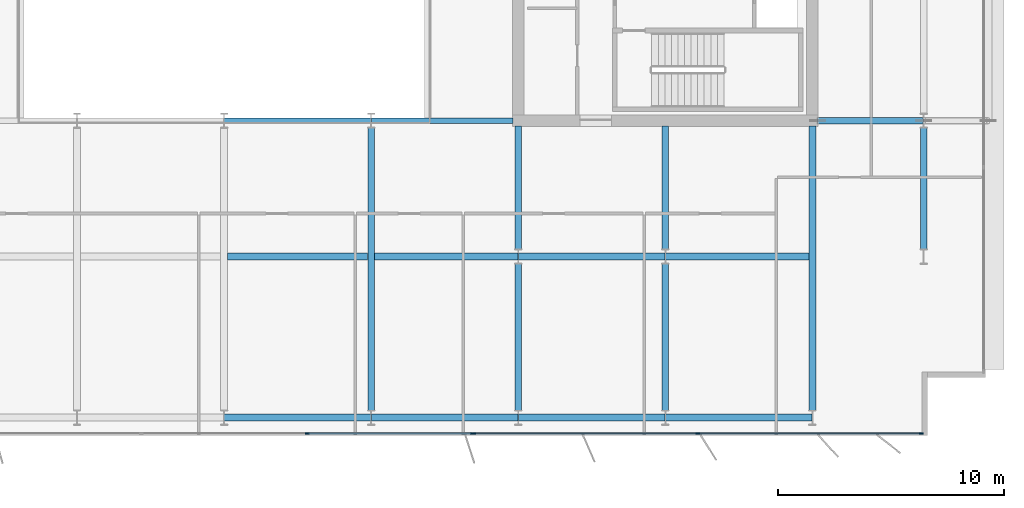
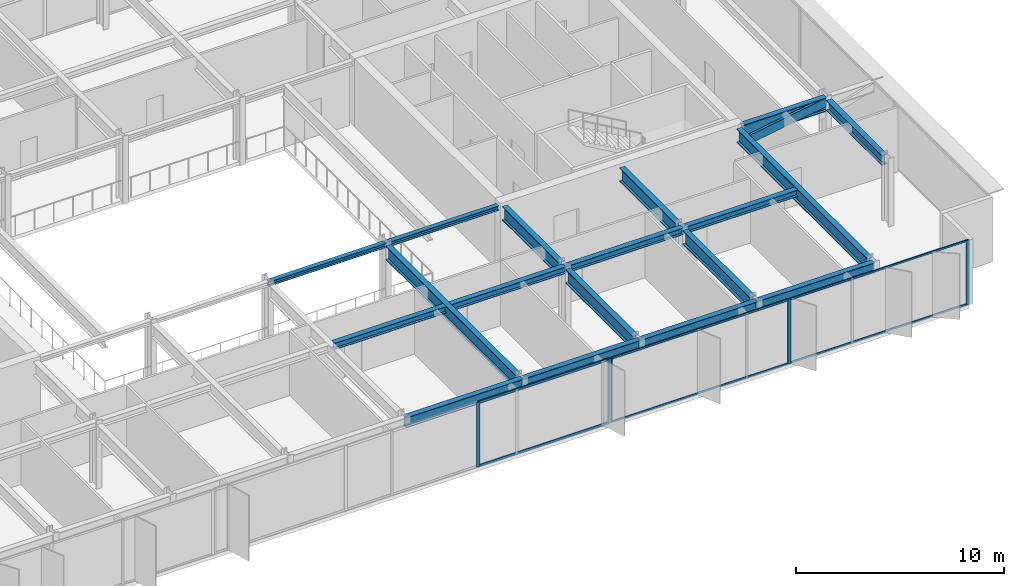
# One storey, part 6 of 20: 18 beams, 12 members, 2 elements without a shape of their own.
"""IFC4 building model written with IfcOpenShell, lengths in metres."""

from ifc_helpers import new_model, si_unit, direction, frame, origin, origin_2d, place, context, subcontext, project, spatial, rectangle, hollow_rectangle, i_section, extrude, material, layer, layer_set, material_profile, profile_set, type_object, element, aggregate, save


model = new_model("IFC4")

# Units and contexts
model_context = context("Model", 3, precision=1e-05, world=origin(), true_north=direction((0.0, 1.0)))
body_context = subcontext(model_context, "Body", "Model", "MODEL_VIEW")
ifc_project = project(units=[si_unit("LENGTHUNIT", "METRE"), si_unit("AREAUNIT", "SQUARE_METRE"), si_unit("VOLUMEUNIT", "CUBIC_METRE"), si_unit("PLANEANGLEUNIT", "RADIAN"), si_unit("MASSUNIT", "GRAM", prefix="KILO")], contexts=[model_context])

# Site, building, storey
site_placement = place(None, origin())
site = spatial("IfcSite", under=ifc_project, at=site_placement, CompositionType="ELEMENT")
building_placement = place(site_placement, origin())
building = spatial("IfcBuilding", under=site, at=building_placement, Name="Putna Gate Headquarters", CompositionType="ELEMENT")
storey_placement = place(building_placement, frame((0.0, 0.0, 282.39990234375)))
storey = spatial("IfcBuildingStorey", under=building, at=storey_placement, Name="L71", CompositionType="ELEMENT", Elevation=282.39990234375)

# Beams
ifc_material_1 = material(Name="Steel S355J2", Category="steel")
ifc_material_profile_1 = material_profile(ifc_material_1, i_section(OverallWidth=0.260009765625, OverallDepth=0.260009765625, WebThickness=0.010009765625, FlangeThickness=0.017578125, at=origin_2d()), Name="Steel S355J2")
ifc_profile_set_1 = profile_set([ifc_material_profile_1], Name="Steel S355J2")
beam_type_1 = type_object("IfcBeamType", Name="BM-ATRIUM-HEB260", PredefinedType="BEAM", material=ifc_profile_set_1)
beam_1_placement = place(storey_placement, frame((39.006103515625, 19.0, 3.658203125), z_axis=(1.0, 0.0, 0.0), x_axis=(0.0, 1.0, 0.0)))
element("IfcBeam", 1, at=beam_1_placement, inside=storey, type_object=beam_type_1, Name="L71 Atrium Edge Beam AS3", PredefinedType="BEAM", context=body_context, shape_type="SweptSolid", body=[
    extrude(i_section(OverallWidth=0.260009765625, OverallDepth=0.260009765625, WebThickness=0.010009765625, FlangeThickness=0.017578125, at=origin_2d()), origin(), (0.0, 0.0, 1.0), 6.48779296875),
])
beam_2_placement = place(storey_placement, frame((45.506103515625, 19.0, 3.658203125), z_axis=(1.0, 0.0, 0.0), x_axis=(0.0, 1.0, 0.0)))
element("IfcBeam", 2, at=beam_2_placement, inside=storey, type_object=beam_type_1, Name="L71 Atrium Edge Beam AS4", PredefinedType="BEAM", context=body_context, shape_type="SweptSolid", body=[
    extrude(i_section(OverallWidth=0.260009765625, OverallDepth=0.260009765625, WebThickness=0.010009765625, FlangeThickness=0.017578125, at=origin_2d()), origin(), (0.0, 0.0, 1.0), 6.2587890625),
])
ifc_material_profile_2 = material_profile(ifc_material_1, i_section(OverallWidth=0.300048828125, OverallDepth=0.800048828125, WebThickness=0.017578125, FlangeThickness=0.032958984375, at=origin_2d()), Name="Steel S355J2")
ifc_profile_set_2 = profile_set([ifc_material_profile_2], Name="Steel S355J2")
beam_type_2 = type_object("IfcBeamType", Name="BM-GIRD-P-HEB800", PredefinedType="USERDEFINED", material=ifc_profile_set_2)
beam_3_placement = place(storey_placement, frame((65.235107421875, 19.0, 3.38818359375), z_axis=(1.0, 0.0, 0.0), x_axis=(0.0, 1.0, 0.0)))
element("IfcBeam", 3, at=beam_3_placement, inside=storey, type_object=beam_type_2, Name="L71 East Wing Girder Y19", ObjectType="GIRDER", PredefinedType="USERDEFINED", context=body_context, shape_type="SweptSolid", body=[
    extrude(i_section(OverallWidth=0.300048828125, OverallDepth=0.800048828125, WebThickness=0.017578125, FlangeThickness=0.032958984375, at=origin_2d()), origin(), (0.0, 0.0, 1.0), 4.678955078125),
])
beam_4_placement = place(storey_placement, frame((45.5, 6.201904296875, 3.38818359375), z_axis=(0.0, 1.0, 0.0), x_axis=(-1.0, 0.0, 0.0)))
element("IfcBeam", 4, at=beam_4_placement, inside=storey, type_object=beam_type_2, Name="L71 South Primary Girder X45", ObjectType="GIRDER", PredefinedType="USERDEFINED", context=body_context, shape_type="SweptSolid", body=[
    extrude(i_section(OverallWidth=0.300048828125, OverallDepth=0.800048828125, WebThickness=0.017578125, FlangeThickness=0.032958984375, at=origin_2d()), origin(), (0.0, 0.0, 1.0), 12.47607421875),
])
beam_5_placement = place(storey_placement, frame((52.0, 6.201904296875, 3.38818359375), z_axis=(0.0, 1.0, 0.0), x_axis=(-1.0, 0.0, 0.0)))
element("IfcBeam", 5, at=beam_5_placement, inside=storey, type_object=beam_type_2, Name="L71 South Primary Girder X52-1", ObjectType="GIRDER", PredefinedType="USERDEFINED", context=body_context, shape_type="SweptSolid", body=[
    extrude(i_section(OverallWidth=0.300048828125, OverallDepth=0.800048828125, WebThickness=0.017578125, FlangeThickness=0.032958984375, at=origin_2d()), origin(), (0.0, 0.0, 1.0), 6.47607421875),
])
beam_6_placement = place(storey_placement, frame((52.0, 13.322021484375, 3.38818359375), z_axis=(0.0, 1.0, 0.0), x_axis=(-1.0, 0.0, 0.0)))
element("IfcBeam", 6, at=beam_6_placement, inside=storey, type_object=beam_type_2, Name="L71 South Primary Girder X52-2", ObjectType="GIRDER", PredefinedType="USERDEFINED", context=body_context, shape_type="SweptSolid", body=[
    extrude(i_section(OverallWidth=0.300048828125, OverallDepth=0.800048828125, WebThickness=0.017578125, FlangeThickness=0.032958984375, at=origin_2d()), origin(), (0.0, 0.0, 1.0), 5.44287109375),
])
beam_7_placement = place(storey_placement, frame((58.5, 6.201904296875, 3.38818359375), z_axis=(0.0, 1.0, 0.0), x_axis=(-1.0, 0.0, 0.0)))
element("IfcBeam", 7, at=beam_7_placement, inside=storey, type_object=beam_type_2, Name="L71 South Primary Girder X58-1", ObjectType="GIRDER", PredefinedType="USERDEFINED", context=body_context, shape_type="SweptSolid", body=[
    extrude(i_section(OverallWidth=0.300048828125, OverallDepth=0.800048828125, WebThickness=0.017578125, FlangeThickness=0.032958984375, at=origin_2d()), origin(), (0.0, 0.0, 1.0), 6.47607421875),
])
beam_8_placement = place(storey_placement, frame((58.5, 13.322021484375, 3.38818359375), z_axis=(0.0, 1.0, 0.0), x_axis=(-1.0, 0.0, 0.0)))
element("IfcBeam", 8, at=beam_8_placement, inside=storey, type_object=beam_type_2, Name="L71 South Primary Girder X58-2", ObjectType="GIRDER", PredefinedType="USERDEFINED", context=body_context, shape_type="SweptSolid", body=[
    extrude(i_section(OverallWidth=0.300048828125, OverallDepth=0.800048828125, WebThickness=0.017578125, FlangeThickness=0.032958984375, at=origin_2d()), origin(), (0.0, 0.0, 1.0), 5.44287109375),
])
beam_9_placement = place(storey_placement, frame((65.0, 6.201904296875, 3.38818359375), z_axis=(0.0, 1.0, 0.0), x_axis=(-1.0, 0.0, 0.0)))
element("IfcBeam", 9, at=beam_9_placement, inside=storey, type_object=beam_type_2, Name="L71 South Primary Girder X65", ObjectType="GIRDER", PredefinedType="USERDEFINED", context=body_context, shape_type="SweptSolid", body=[
    extrude(i_section(OverallWidth=0.300048828125, OverallDepth=0.800048828125, WebThickness=0.017578125, FlangeThickness=0.032958984375, at=origin_2d()), origin(), (0.0, 0.0, 1.0), 12.56298828125),
])
ifc_material_profile_3 = material_profile(ifc_material_1, i_section(OverallWidth=0.300048828125, OverallDepth=0.389892578125, WebThickness=0.010986328125, FlangeThickness=0.01904296875, at=origin_2d()), Name="Steel S355J2")
ifc_profile_set_3 = profile_set([ifc_material_profile_3], Name="Steel S355J2")
beam_type_3 = type_object("IfcBeamType", Name="BM-SEC-Z5-HEA400", PredefinedType="BEAM", material=ifc_profile_set_3)
beam_10_placement = place(storey_placement, frame((39.154052734375, 13.0, 3.593017578125), z_axis=(1.0, 0.0, 0.0), x_axis=(0.0, 1.0, 0.0)))
element("IfcBeam", 10, at=beam_10_placement, inside=storey, type_object=beam_type_3, Name="L71 South Secondary Beam 5", PredefinedType="BEAM", context=body_context, shape_type="SweptSolid", body=[
    extrude(i_section(OverallWidth=0.300048828125, OverallDepth=0.389892578125, WebThickness=0.010986328125, FlangeThickness=0.01904296875, at=origin_2d()), origin(), (0.0, 0.0, 1.0), 6.19189453125),
])
beam_11_placement = place(storey_placement, frame((45.654052734375, 13.0, 3.593017578125), z_axis=(1.0, 0.0, 0.0), x_axis=(0.0, 1.0, 0.0)))
element("IfcBeam", 11, at=beam_11_placement, inside=storey, type_object=beam_type_3, Name="L71 South Secondary Beam 6", PredefinedType="BEAM", context=body_context, shape_type="SweptSolid", body=[
    extrude(i_section(OverallWidth=0.300048828125, OverallDepth=0.389892578125, WebThickness=0.010986328125, FlangeThickness=0.01904296875, at=origin_2d()), origin(), (0.0, 0.0, 1.0), 6.33984375),
])
beam_12_placement = place(storey_placement, frame((52.006103515625, 13.0, 3.593017578125), z_axis=(1.0, 0.0, 0.0), x_axis=(0.0, 1.0, 0.0)))
element("IfcBeam", 12, at=beam_12_placement, inside=storey, type_object=beam_type_3, Name="L71 South Secondary Beam 7", PredefinedType="BEAM", context=body_context, shape_type="SweptSolid", body=[
    extrude(i_section(OverallWidth=0.300048828125, OverallDepth=0.389892578125, WebThickness=0.010986328125, FlangeThickness=0.01904296875, at=origin_2d()), origin(), (0.0, 0.0, 1.0), 6.48779296875),
])
beam_13_placement = place(storey_placement, frame((58.506103515625, 13.0, 3.593017578125), z_axis=(1.0, 0.0, 0.0), x_axis=(0.0, 1.0, 0.0)))
element("IfcBeam", 13, at=beam_13_placement, inside=storey, type_object=beam_type_3, Name="L71 South Secondary Beam 8", PredefinedType="BEAM", context=body_context, shape_type="SweptSolid", body=[
    extrude(i_section(OverallWidth=0.300048828125, OverallDepth=0.389892578125, WebThickness=0.010986328125, FlangeThickness=0.01904296875, at=origin_2d()), origin(), (0.0, 0.0, 1.0), 6.33984375),
])
ifc_material_profile_4 = material_profile(ifc_material_1, i_section(OverallWidth=0.300048828125, OverallDepth=0.590087890625, WebThickness=0.012939453125, FlangeThickness=0.02490234375, at=origin_2d()), Name="Steel S355J2")
ifc_profile_set_4 = profile_set([ifc_material_profile_4], Name="Steel S355J2")
beam_type_4 = type_object("IfcBeamType", Name="BM-SPAN-Z4-HEA600", PredefinedType="SPANDREL", material=ifc_profile_set_4)
for number, where, z_axis, x_axis, name in (
    (14, (39.006103515625, 5.8798828125, 3.4931640625), (1.0, 0.0, 0.0), (0.0, 1.0, 0.0), "L71 S Perimeter Spandrel 5"),
    (15, (45.506103515625, 5.8798828125, 3.4931640625), (1.0, 0.0, 0.0), (0.0, 1.0, 0.0), "L71 S Perimeter Spandrel 6"),
    (16, (52.006103515625, 5.8798828125, 3.4931640625), (1.0, 0.0, 0.0), (0.0, 1.0, 0.0), "L71 S Perimeter Spandrel 7"),
    (17, (58.506103515625, 5.8798828125, 3.4931640625), (1.0, 0.0, 0.0), (0.0, 1.0, 0.0), "L71 S Perimeter Spandrel 8"),
):
    element("IfcBeam", number, at=place(storey_placement, frame(where, z_axis=z_axis, x_axis=x_axis)), inside=storey, type_object=beam_type_4, Name=name, PredefinedType="SPANDREL", context=body_context, shape_type="SweptSolid", body=[
        extrude(i_section(OverallWidth=0.300048828125, OverallDepth=0.590087890625, WebThickness=0.012939453125, FlangeThickness=0.02490234375, at=origin_2d()), origin(), (0.0, 0.0, 1.0), 6.48779296875),
    ])
beam_14_placement = place(storey_placement, frame((69.919921875, 13.322021484375, 3.4931640625), z_axis=(0.0, 1.0, 0.0), x_axis=(-1.0, 0.0, 0.0)))
element("IfcBeam", 18, at=beam_14_placement, inside=storey, type_object=beam_type_4, Name="L71 E End Spandrel 1", PredefinedType="SPANDREL", context=body_context, shape_type="SweptSolid", body=[
    extrude(i_section(OverallWidth=0.300048828125, OverallDepth=0.590087890625, WebThickness=0.012939453125, FlangeThickness=0.02490234375, at=origin_2d()), origin(), (0.0, 0.0, 1.0), 5.35595703125),
])

# Member
ifc_material_2 = material(Name="Steel S460M", Category="steel")
ifc_material_profile_5 = material_profile(ifc_material_2, hollow_rectangle(XDim=0.300048828125, YDim=0.5, WallThickness=0.02001953125, at=origin_2d()), Name="Steel S460M")
ifc_profile_set_5 = profile_set([ifc_material_profile_5], Name="Steel S460M")
member_type_1 = type_object("IfcMemberType", Name="MEM-SAIL-ARC-RHS500", PredefinedType="STRUT", material=ifc_profile_set_5)
member_1_placement = place(storey_placement, frame((65.259765625, 19.0, 2.75341796875), z_axis=(0.986151942104, 0.0, 0.16584434595), x_axis=(0.0, 1.0, 0.0)))
element("IfcMember", 19, at=member_1_placement, inside=storey, type_object=member_type_1, Name="L71 East Sail Transfer Arc Strut Y19", PredefinedType="STRUT", context=body_context, shape_type="SweptSolid", body=[
    extrude(hollow_rectangle(XDim=0.300048828125, YDim=0.5, WallThickness=0.02001953125, at=origin_2d()), origin(), (0.0, 0.0, 1.0), 4.710693359375),
])

# Curtain wall, members
ifc_material_3 = material(Name="Anodised bronze aluminium curtain wall", Category="aluminium")
ifc_layer_1 = layer(ifc_material_3, 0.179931640625)
ifc_layer_set_1 = layer_set([ifc_layer_1], Name="Anodised bronze aluminium curtain wall")
curtain_wall_type_1 = type_object("IfcCurtainWallType", Name="CW-SYS-Z5", PredefinedType="USERDEFINED", material=ifc_layer_set_1)
curtain_wall_1_placement = place(storey_placement, origin())
curtain_wall_1 = element("IfcCurtainWall", 20, at=curtain_wall_1_placement, inside=storey, type_object=curtain_wall_type_1, Name="L71 South East Curtain Wall", ObjectType="STICK CURTAIN WALL", PredefinedType="USERDEFINED")
ifc_material_4 = material(Name="Anodised bronze aluminium EN AW-6060", Category="aluminium")
ifc_material_profile_6 = material_profile(ifc_material_4, rectangle(XDim=0.070068359375, YDim=0.179931640625, at=origin_2d()), Name="Anodised bronze aluminium EN AW-6060")
ifc_profile_set_6 = profile_set([ifc_material_profile_6], Name="Anodised bronze aluminium EN AW-6060")
member_type_2 = type_object("IfcMemberType", Name="MULL-CWM-5", PredefinedType="MULLION", material=ifc_profile_set_6)
member_2_placement = place(storey_placement, frame((50.034912109375, 5.179931640625, 0.0), z_axis=(0.0, 0.0, 1.0), x_axis=(0.0, 1.0, 0.0)))
member_2 = element("IfcMember", 21, at=member_2_placement, type_object=member_type_2, Name="CWS-5 mullion 1", PredefinedType="MULLION", context=body_context, shape_type="SweptSolid", body=[
    extrude(rectangle(XDim=0.070068359375, YDim=0.179931640625, at=origin_2d()), origin(), (0.0, 0.0, 1.0), 3.7880859375),
])
member_3_placement = place(storey_placement, frame((59.924560546875, 5.179931640625, 0.0), z_axis=(0.0, 0.0, 1.0), x_axis=(0.0, 1.0, 0.0)))
member_3 = element("IfcMember", 22, at=member_3_placement, type_object=member_type_2, Name="CWS-5 mullion 2", PredefinedType="MULLION", context=body_context, shape_type="SweptSolid", body=[
    extrude(rectangle(XDim=0.070068359375, YDim=0.179931640625, at=origin_2d()), origin(), (0.0, 0.0, 1.0), 3.7880859375),
])
member_4_placement = place(storey_placement, frame((69.81396484375, 5.179931640625, 0.0), z_axis=(0.0, 0.0, 1.0), x_axis=(0.0, 1.0, 0.0)))
member_4 = element("IfcMember", 23, at=member_4_placement, type_object=member_type_2, Name="CWS-5 mullion 3", PredefinedType="MULLION", context=body_context, shape_type="SweptSolid", body=[
    extrude(rectangle(XDim=0.070068359375, YDim=0.179931640625, at=origin_2d()), origin(), (0.0, 0.0, 1.0), 3.7880859375),
])

ifc_layer_2 = layer(ifc_material_3, 0.179931640625)
ifc_layer_set_2 = layer_set([ifc_layer_2], Name="Anodised bronze aluminium curtain wall")
curtain_wall_type_2 = type_object("IfcCurtainWallType", Name="CW-SYS-ATR", PredefinedType="USERDEFINED", material=ifc_layer_set_2)
curtain_wall_2_placement = place(storey_placement, origin())
curtain_wall_2 = element("IfcCurtainWall", 24, at=curtain_wall_2_placement, inside=storey, type_object=curtain_wall_type_2, Name="L71 South Atrium Clear Glazing", ObjectType="ATRIUM GLAZING", PredefinedType="USERDEFINED")
ifc_material_profile_7 = material_profile(ifc_material_4, rectangle(XDim=0.070068359375, YDim=0.179931640625, at=origin_2d()), Name="Anodised bronze aluminium EN AW-6060")
ifc_profile_set_7 = profile_set([ifc_material_profile_7], Name="Anodised bronze aluminium EN AW-6060")
member_type_3 = type_object("IfcMemberType", Name="MULL-CWM-AT", PredefinedType="MULLION", material=ifc_profile_set_7)
member_5_placement = place(storey_placement, frame((42.666748046875, 5.179931640625, 0.0), z_axis=(0.0, 0.0, 1.0), x_axis=(0.0, 1.0, 0.0)))
member_5 = element("IfcMember", 25, at=member_5_placement, type_object=member_type_3, Name="CWS-AT mullion 3", PredefinedType="MULLION", context=body_context, shape_type="SweptSolid", body=[
    extrude(rectangle(XDim=0.070068359375, YDim=0.179931640625, at=origin_2d()), origin(), (0.0, 0.0, 1.0), 3.7880859375),
])
member_6_placement = place(storey_placement, frame((49.965087890625, 5.179931640625, 0.0), z_axis=(0.0, 0.0, 1.0), x_axis=(0.0, 1.0, 0.0)))
member_6 = element("IfcMember", 26, at=member_6_placement, type_object=member_type_3, Name="CWS-AT mullion 4", PredefinedType="MULLION", context=body_context, shape_type="SweptSolid", body=[
    extrude(rectangle(XDim=0.070068359375, YDim=0.179931640625, at=origin_2d()), origin(), (0.0, 0.0, 1.0), 3.7880859375),
])

# Member
ifc_material_profile_8 = material_profile(ifc_material_4, rectangle(XDim=0.06005859375, YDim=0.10009765625, at=origin_2d()), Name="Anodised bronze aluminium EN AW-6060")
ifc_profile_set_8 = profile_set([ifc_material_profile_8], Name="Anodised bronze aluminium EN AW-6060")
member_type_4 = type_object("IfcMemberType", Name="TRAN-CWT-5", PredefinedType="USERDEFINED", material=ifc_profile_set_8)
member_7_placement = place(storey_placement, frame((50.070068359375, 5.179931640625, 0.030029296875), z_axis=(1.0, 0.0, 0.0), x_axis=(0.0, 1.0, 0.0)))
member_7 = element("IfcMember", 27, at=member_7_placement, type_object=member_type_4, Name="CWS-5 transom 1.1", ObjectType="TRANSOM", PredefinedType="USERDEFINED", context=body_context, shape_type="SweptSolid", body=[
    extrude(rectangle(XDim=0.06005859375, YDim=0.10009765625, at=origin_2d()), origin(), (0.0, 0.0, 1.0), 9.8193359375),
])

member_8_placement = place(storey_placement, frame((50.070068359375, 5.179931640625, 3.758056640625), z_axis=(1.0, 0.0, 0.0), x_axis=(0.0, 1.0, 0.0)))
member_8 = element("IfcMember", 28, at=member_8_placement, type_object=member_type_4, Name="CWS-5 transom 1.2", ObjectType="TRANSOM", PredefinedType="USERDEFINED", context=body_context, shape_type="SweptSolid", body=[
    extrude(rectangle(XDim=0.06005859375, YDim=0.10009765625, at=origin_2d()), origin(), (0.0, 0.0, 1.0), 9.8193359375),
])

member_9_placement = place(storey_placement, frame((59.95947265625, 5.179931640625, 0.030029296875), z_axis=(1.0, 0.0, 0.0), x_axis=(0.0, 1.0, 0.0)))
member_9 = element("IfcMember", 29, at=member_9_placement, type_object=member_type_4, Name="CWS-5 transom 2.1", ObjectType="TRANSOM", PredefinedType="USERDEFINED", context=body_context, shape_type="SweptSolid", body=[
    extrude(rectangle(XDim=0.06005859375, YDim=0.10009765625, at=origin_2d()), origin(), (0.0, 0.0, 1.0), 9.8193359375),
])

member_10_placement = place(storey_placement, frame((59.95947265625, 5.179931640625, 3.758056640625), z_axis=(1.0, 0.0, 0.0), x_axis=(0.0, 1.0, 0.0)))
member_10 = element("IfcMember", 30, at=member_10_placement, type_object=member_type_4, Name="CWS-5 transom 2.2", ObjectType="TRANSOM", PredefinedType="USERDEFINED", context=body_context, shape_type="SweptSolid", body=[
    extrude(rectangle(XDim=0.06005859375, YDim=0.10009765625, at=origin_2d()), origin(), (0.0, 0.0, 1.0), 9.8193359375),
])

aggregate(curtain_wall_1, [member_2, member_3, member_4, member_7, member_8, member_9, member_10])

ifc_material_profile_9 = material_profile(ifc_material_4, rectangle(XDim=0.070068359375, YDim=0.139892578125, at=origin_2d()), Name="Anodised bronze aluminium EN AW-6060")
ifc_profile_set_9 = profile_set([ifc_material_profile_9], Name="Anodised bronze aluminium EN AW-6060")
member_type_5 = type_object("IfcMemberType", Name="TRAN-CWT-AT", PredefinedType="USERDEFINED", material=ifc_profile_set_9)
member_11_placement = place(storey_placement, frame((42.70166015625, 5.179931640625, 0.03515625), z_axis=(1.0, 0.0, 0.0), x_axis=(0.0, 1.0, 0.0)))
member_11 = element("IfcMember", 31, at=member_11_placement, type_object=member_type_5, Name="CWS-AT transom 3.1", ObjectType="TRANSOM", PredefinedType="USERDEFINED", context=body_context, shape_type="SweptSolid", body=[
    extrude(rectangle(XDim=0.070068359375, YDim=0.139892578125, at=origin_2d()), origin(), (0.0, 0.0, 1.0), 7.228271484375),
])

member_12_placement = place(storey_placement, frame((42.70166015625, 5.179931640625, 3.753173828125), z_axis=(1.0, 0.0, 0.0), x_axis=(0.0, 1.0, 0.0)))
member_12 = element("IfcMember", 32, at=member_12_placement, type_object=member_type_5, Name="CWS-AT transom 3.2", ObjectType="TRANSOM", PredefinedType="USERDEFINED", context=body_context, shape_type="SweptSolid", body=[
    extrude(rectangle(XDim=0.070068359375, YDim=0.139892578125, at=origin_2d()), origin(), (0.0, 0.0, 1.0), 7.228271484375),
])

aggregate(curtain_wall_2, [member_5, member_6, member_11, member_12])

save(model, "model.ifc")
